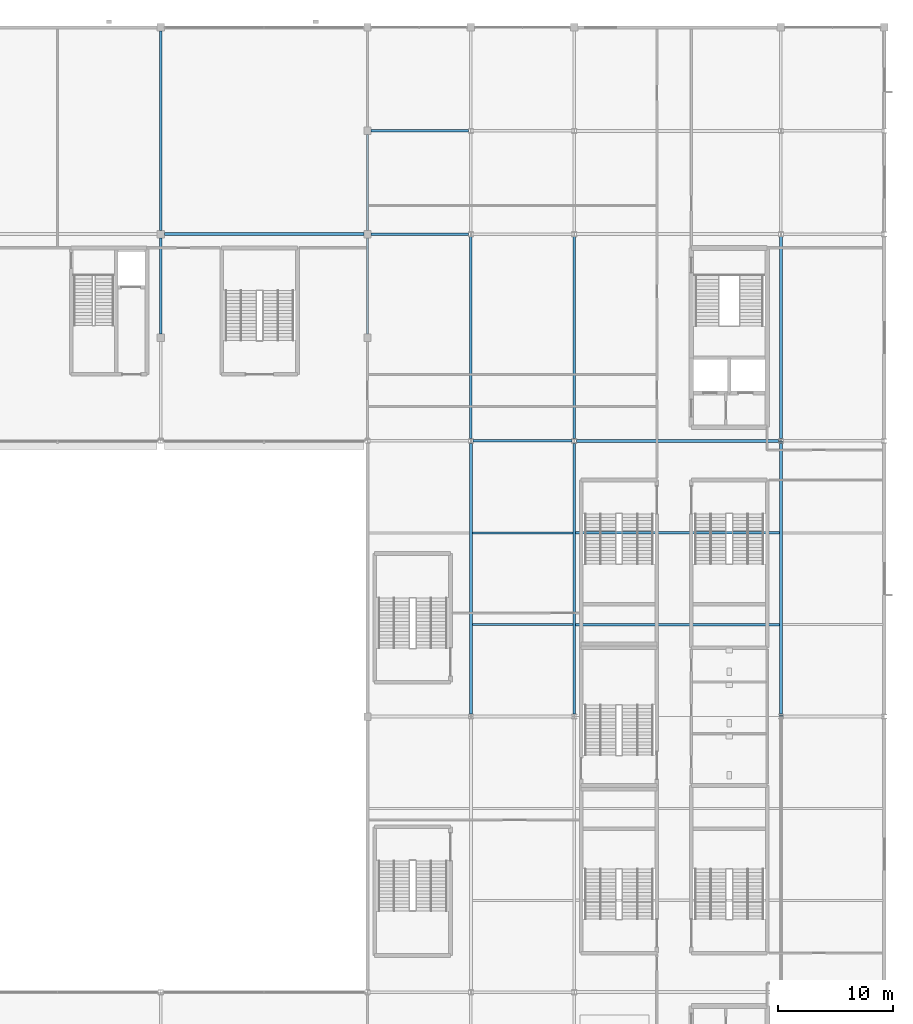
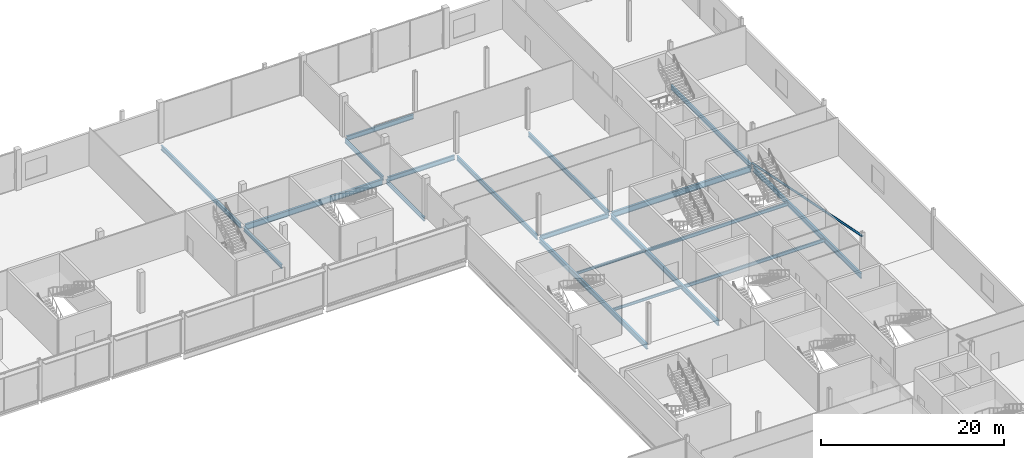
# One storey, part 50 of 111: 19 beams, 1 member.
"""IFC4 building model written with IfcOpenShell, lengths in metres."""

from ifc_helpers import new_model, si_unit, direction, frame, origin, origin_2d, place, context, subcontext, project, spatial, hollow_circle, i_section, extrude, material, material_profile, profile_set, type_object, element, save


model = new_model("IFC4")

# Units and contexts
model_context = context("Model", 3, precision=1e-05, world=origin(), true_north=direction((0.0, 1.0)))
body_context = subcontext(model_context, "Body", "Model", "MODEL_VIEW")
ifc_project = project(units=[si_unit("LENGTHUNIT", "METRE"), si_unit("AREAUNIT", "SQUARE_METRE"), si_unit("VOLUMEUNIT", "CUBIC_METRE"), si_unit("PLANEANGLEUNIT", "RADIAN"), si_unit("MASSUNIT", "GRAM", prefix="KILO")], contexts=[model_context])

# Site, building, storey
site_placement = place(None, origin())
site = spatial("IfcSite", under=ifc_project, at=site_placement, CompositionType="ELEMENT")
building_placement = place(site_placement, origin())
building = spatial("IfcBuilding", under=site, at=building_placement, Name="Kisiwana Market Hall", CompositionType="ELEMENT")
storey_placement = place(building_placement, frame((0.0, 0.0, 11.39990234375)))
storey = spatial("IfcBuildingStorey", under=building, at=storey_placement, Name="L02", CompositionType="ELEMENT", Elevation=11.39990234375)

# Beams
ifc_material_1 = material(Name="Steel S355", Category="steel")
ifc_material_profile_1 = material_profile(ifc_material_1, i_section(OverallWidth=0.209228515625, OverallDepth=0.533203125, WebThickness=0.010009765625, FlangeThickness=0.015625, at=origin_2d()), Name="UB 533x210x92")
ifc_profile_set_1 = profile_set([ifc_material_profile_1], Name="Steel S355")
beam_type_1 = type_object("IfcBeamType", Name="BM-GIRD-UB533", PredefinedType="BEAM", material=ifc_profile_set_1)
for number, where, z_axis, x_axis, name in (
    (1, (135.0, 93.321044921875, -0.516357421875), (0.0, 1.0, 0.0), (-1.0, 0.0, 0.0), "Primary girder B-0659"),
    (2, (153.0, 93.321044921875, -0.516357421875), (0.0, 1.0, 0.0), (-1.0, 0.0, 0.0), "Primary girder B-0666"),
    (3, (153.0, 102.321044921875, -0.516357421875), (0.0, 1.0, 0.0), (-1.0, 0.0, 0.0), "Primary girder B-0667"),
):
    element("IfcBeam", number, at=place(storey_placement, frame(where, z_axis=z_axis, x_axis=x_axis)), inside=storey, type_object=beam_type_1, Name=name, PredefinedType="BEAM", context=body_context, shape_type="SweptSolid", body=[
        extrude(i_section(OverallWidth=0.209228515625, OverallDepth=0.533203125, WebThickness=0.010009765625, FlangeThickness=0.015625, at=origin_2d()), origin(), (0.0, 0.0, 1.0), 8.35791015625),
    ])
ifc_material_2 = material(Name="Steel S355", Category="steel")
ifc_material_profile_2 = material_profile(ifc_material_2, i_section(OverallWidth=0.22900390625, OverallDepth=0.6123046875, WebThickness=0.011962890625, FlangeThickness=0.01953125, at=origin_2d()), Name="UB 610x229x125")
ifc_profile_set_2 = profile_set([ifc_material_profile_2], Name="Steel S355")
beam_type_2 = type_object("IfcBeamType", Name="BM-GIRD-UB610H", PredefinedType="BEAM", material=ifc_profile_set_2)
beam_1_placement = place(storey_placement, frame((162.201904296875, 84.0, -0.555908203125), z_axis=(1.0, 0.0, 0.0), x_axis=(0.0, 1.0, 0.0)))
element("IfcBeam", 4, at=beam_1_placement, inside=storey, type_object=beam_type_2, Name="Floor beam B-0786", PredefinedType="BEAM", context=body_context, shape_type="SweptSolid", body=[
    extrude(i_section(OverallWidth=0.22900390625, OverallDepth=0.6123046875, WebThickness=0.011962890625, FlangeThickness=0.01953125, at=origin_2d()), origin(), (0.0, 0.0, 1.0), 8.59619140625),
])
beam_2_placement = place(storey_placement, frame((153.321044921875, 102.0, -0.555908203125), z_axis=(1.0, 0.0, 0.0), x_axis=(0.0, 1.0, 0.0)))
element("IfcBeam", 5, at=beam_2_placement, inside=storey, type_object=beam_type_2, Name="Floor beam B-0799", PredefinedType="BEAM", context=body_context, shape_type="SweptSolid", body=[
    extrude(i_section(OverallWidth=0.22900390625, OverallDepth=0.6123046875, WebThickness=0.011962890625, FlangeThickness=0.01953125, at=origin_2d()), origin(), (0.0, 0.0, 1.0), 8.47705078125),
])
beam_3_placement = place(storey_placement, frame((153.321044921875, 111.0, -0.555908203125), z_axis=(1.0, 0.0, 0.0), x_axis=(0.0, 1.0, 0.0)))
element("IfcBeam", 6, at=beam_3_placement, inside=storey, type_object=beam_type_2, Name="Floor beam B-0807", PredefinedType="BEAM", context=body_context, shape_type="SweptSolid", body=[
    extrude(i_section(OverallWidth=0.22900390625, OverallDepth=0.6123046875, WebThickness=0.011962890625, FlangeThickness=0.01953125, at=origin_2d()), origin(), (0.0, 0.0, 1.0), 8.4814453125),
])
beam_4_placement = place(storey_placement, frame((135.0, 102.321044921875, -0.555908203125), z_axis=(0.0, 1.0, 0.0), x_axis=(-1.0, 0.0, 0.0)))
element("IfcBeam", 7, at=beam_4_placement, inside=storey, type_object=beam_type_2, Name="Primary girder B-0660", PredefinedType="BEAM", context=body_context, shape_type="SweptSolid", body=[
    extrude(i_section(OverallWidth=0.22900390625, OverallDepth=0.6123046875, WebThickness=0.011962890625, FlangeThickness=0.01953125, at=origin_2d()), origin(), (0.0, 0.0, 1.0), 17.35791015625),
])
for number, where, z_axis, x_axis, name in (
    (8, (162.0, 84.21337890625, -0.555908203125), (0.0, 1.0, 0.0), (-1.0, 0.0, 0.0), "Primary girder B-0674"),
    (9, (171.0, 84.21337890625, -0.555908203125), (0.0, 1.0, 0.0), (-1.0, 0.0, 0.0), "Primary girder B-0680"),
    (10, (189.0, 84.21337890625, -0.555908203125), (0.0, 1.0, 0.0), (-1.0, 0.0, 0.0), "Primary girder B-0688"),
):
    element("IfcBeam", number, at=place(storey_placement, frame(where, z_axis=z_axis, x_axis=x_axis)), inside=storey, type_object=beam_type_2, Name=name, PredefinedType="BEAM", context=body_context, shape_type="SweptSolid", body=[
        extrude(i_section(OverallWidth=0.22900390625, OverallDepth=0.6123046875, WebThickness=0.011962890625, FlangeThickness=0.01953125, at=origin_2d()), origin(), (0.0, 0.0, 1.0), 17.5732421875),
    ])
ifc_material_3 = material(Name="Steel S355", Category="steel")
ifc_material_profile_3 = material_profile(ifc_material_3, i_section(OverallWidth=0.253662109375, OverallDepth=0.68359375, WebThickness=0.012451171875, FlangeThickness=0.01904296875, at=origin_2d()), Name="UB 686x254x140")
ifc_profile_set_3 = profile_set([ifc_material_profile_3], Name="Steel S355")
beam_type_3 = type_object("IfcBeamType", Name="BM-GIRD-UB686", PredefinedType="BEAM", material=ifc_profile_set_3)
for number, where, z_axis, x_axis, name in (
    (11, (171.0, 60.21337890625, -0.591552734375), (0.0, 1.0, 0.0), (-1.0, 0.0, 0.0), "Floor beam B-0840"),
    (12, (162.0, 60.21337890625, -0.591552734375), (0.0, 1.0, 0.0), (-1.0, 0.0, 0.0), "Primary girder B-0673"),
    (13, (189.0, 60.21337890625, -0.591552734375), (0.0, 1.0, 0.0), (-1.0, 0.0, 0.0), "Primary girder B-0687"),
):
    element("IfcBeam", number, at=place(storey_placement, frame(where, z_axis=z_axis, x_axis=x_axis)), inside=storey, type_object=beam_type_3, Name=name, PredefinedType="BEAM", context=body_context, shape_type="SweptSolid", body=[
        extrude(i_section(OverallWidth=0.253662109375, OverallDepth=0.68359375, WebThickness=0.012451171875, FlangeThickness=0.01904296875, at=origin_2d()), origin(), (0.0, 0.0, 1.0), 23.5732421875),
    ])
ifc_material_4 = material(Name="Steel S355", Category="steel")
ifc_material_profile_4 = material_profile(ifc_material_4, i_section(OverallWidth=0.2666015625, OverallDepth=0.76220703125, WebThickness=0.014404296875, FlangeThickness=0.021484375, at=origin_2d()), Name="UB 762x267x173")
ifc_profile_set_4 = profile_set([ifc_material_profile_4], Name="Steel S355")
beam_type_4 = type_object("IfcBeamType", Name="BM-GIRD-UB762", PredefinedType="BEAM", material=ifc_profile_set_4)
beam_5_placement = place(storey_placement, frame((171.201904296875, 84.0, -0.631103515625), z_axis=(1.0, 0.0, 0.0), x_axis=(0.0, 1.0, 0.0)))
element("IfcBeam", 14, at=beam_5_placement, inside=storey, type_object=beam_type_4, Name="Floor beam B-0787", PredefinedType="BEAM", context=body_context, shape_type="SweptSolid", body=[
    extrude(i_section(OverallWidth=0.2666015625, OverallDepth=0.76220703125, WebThickness=0.014404296875, FlangeThickness=0.021484375, at=origin_2d()), origin(), (0.0, 0.0, 1.0), 17.59619140625),
])
beam_6_placement = place(storey_placement, frame((135.321044921875, 102.0, -0.631103515625), z_axis=(1.0, 0.0, 0.0), x_axis=(0.0, 1.0, 0.0)))
element("IfcBeam", 15, at=beam_6_placement, inside=storey, type_object=beam_type_4, Name="Floor beam B-0798", PredefinedType="BEAM", context=body_context, shape_type="SweptSolid", body=[
    extrude(i_section(OverallWidth=0.2666015625, OverallDepth=0.76220703125, WebThickness=0.014404296875, FlangeThickness=0.021484375, at=origin_2d()), origin(), (0.0, 0.0, 1.0), 17.35791015625),
])
ifc_material_5 = material(Name="Steel S355", Category="steel")
ifc_material_profile_5 = material_profile(ifc_material_5, i_section(OverallWidth=0.17138671875, OverallDepth=0.35498046875, WebThickness=0.00732421875, FlangeThickness=0.011474609375, at=origin_2d()), Name="UB 356x171x51")
ifc_profile_set_5 = profile_set([ifc_material_profile_5], Name="Steel S355")
beam_type_5 = type_object("IfcBeamType", Name="BM-JOIST-UB356", PredefinedType="JOIST", material=ifc_profile_set_5)
for number, where, z_axis, x_axis, name in (
    (16, (162.125732421875, 68.0, -0.427490234375), (1.0, 0.0, 0.0), (0.0, 1.0, 0.0), "Secondary floor joist B-0708"),
    (17, (162.125732421875, 76.0, -0.427490234375), (1.0, 0.0, 0.0), (0.0, 1.0, 0.0), "Secondary floor joist B-0716"),
):
    element("IfcBeam", number, at=place(storey_placement, frame(where, z_axis=z_axis, x_axis=x_axis)), inside=storey, type_object=beam_type_5, Name=name, PredefinedType="JOIST", context=body_context, shape_type="SweptSolid", body=[
        extrude(i_section(OverallWidth=0.17138671875, OverallDepth=0.35498046875, WebThickness=0.00732421875, FlangeThickness=0.011474609375, at=origin_2d()), origin(), (0.0, 0.0, 1.0), 8.74853515625),
    ])
ifc_material_6 = material(Name="Steel S355", Category="steel")
ifc_material_profile_6 = material_profile(ifc_material_6, i_section(OverallWidth=0.18994140625, OverallDepth=0.453369140625, WebThickness=0.008544921875, FlangeThickness=0.0126953125, at=origin_2d()), Name="UB 457x191x67")
ifc_profile_set_6 = profile_set([ifc_material_profile_6], Name="Steel S355")
beam_type_6 = type_object("IfcBeamType", Name="BM-JOIST-UB457", PredefinedType="JOIST", material=ifc_profile_set_6)
for number, where, z_axis, x_axis, name in (
    (18, (171.125732421875, 68.0, -0.4765625), (1.0, 0.0, 0.0), (0.0, 1.0, 0.0), "Secondary floor joist B-0709"),
    (19, (171.125732421875, 76.0, -0.4765625), (1.0, 0.0, 0.0), (0.0, 1.0, 0.0), "Secondary floor joist B-0717"),
):
    element("IfcBeam", number, at=place(storey_placement, frame(where, z_axis=z_axis, x_axis=x_axis)), inside=storey, type_object=beam_type_6, Name=name, PredefinedType="JOIST", context=body_context, shape_type="SweptSolid", body=[
        extrude(i_section(OverallWidth=0.18994140625, OverallDepth=0.453369140625, WebThickness=0.008544921875, FlangeThickness=0.0126953125, at=origin_2d()), origin(), (0.0, 0.0, 1.0), 17.74853515625),
    ])

# Member
ifc_material_7 = material(Name="Steel S355", Category="steel")
ifc_material_profile_7 = material_profile(ifc_material_7, hollow_circle(Radius=0.136474609375, WallThickness=0.012451171875, at=origin_2d()), Name="CHS 273.0x12.5")
ifc_profile_set_7 = profile_set([ifc_material_profile_7], Name="Steel S355")
member_type = type_object("IfcMemberType", Name="MB-CBF-CHS273", PredefinedType="BRACE", material=ifc_profile_set_7)
member_placement = place(storey_placement, frame((189.0, 84.0, 0.0), z_axis=(0.0, -0.980185232723, 0.198083087497), x_axis=(1.0, 0.0, 0.0)))
element("IfcMember", 20, at=member_placement, inside=storey, type_object=member_type, Name="CBF-E-S diagonal brace (L02) M-0020", PredefinedType="BRACE", context=body_context, shape_type="SweptSolid", body=[
    extrude(hollow_circle(Radius=0.136474609375, WallThickness=0.012451171875, at=origin_2d()), origin(), (0.0, 0.0, 1.0), 24.485107421875),
])

save(model, "model.ifc")
